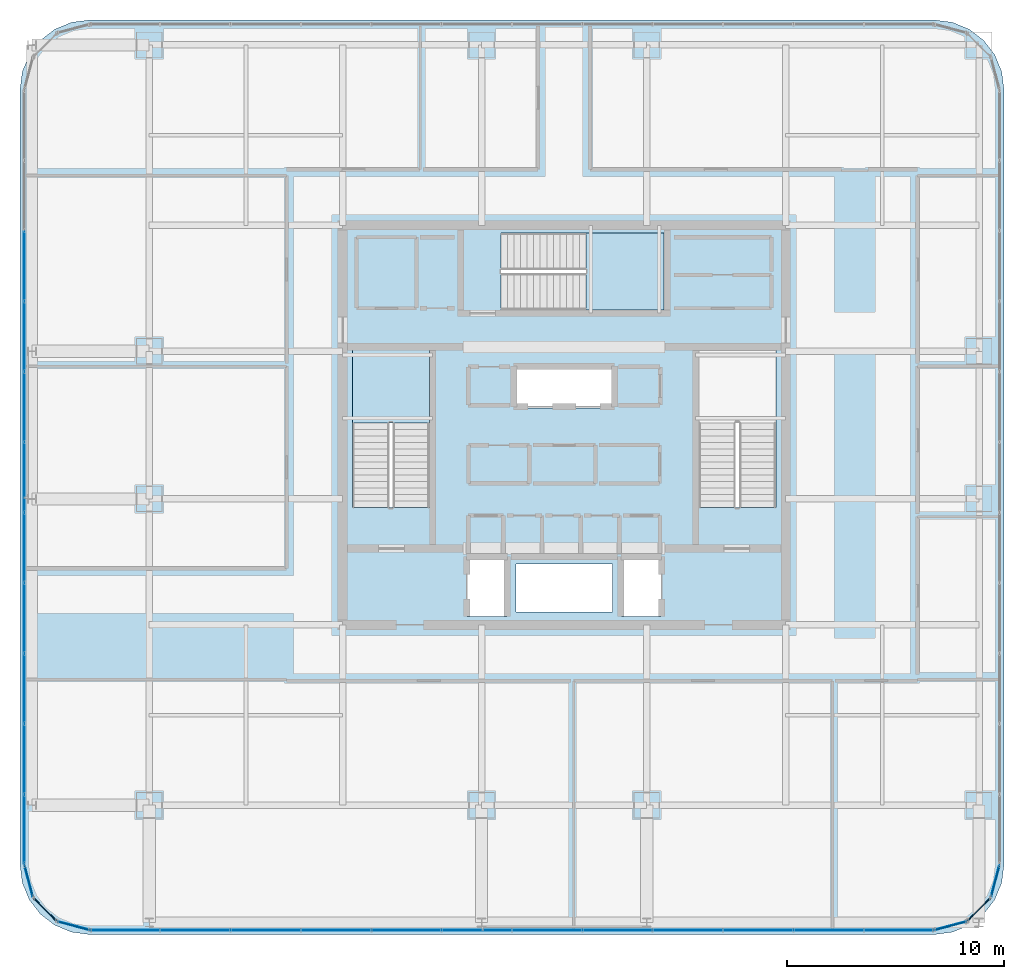
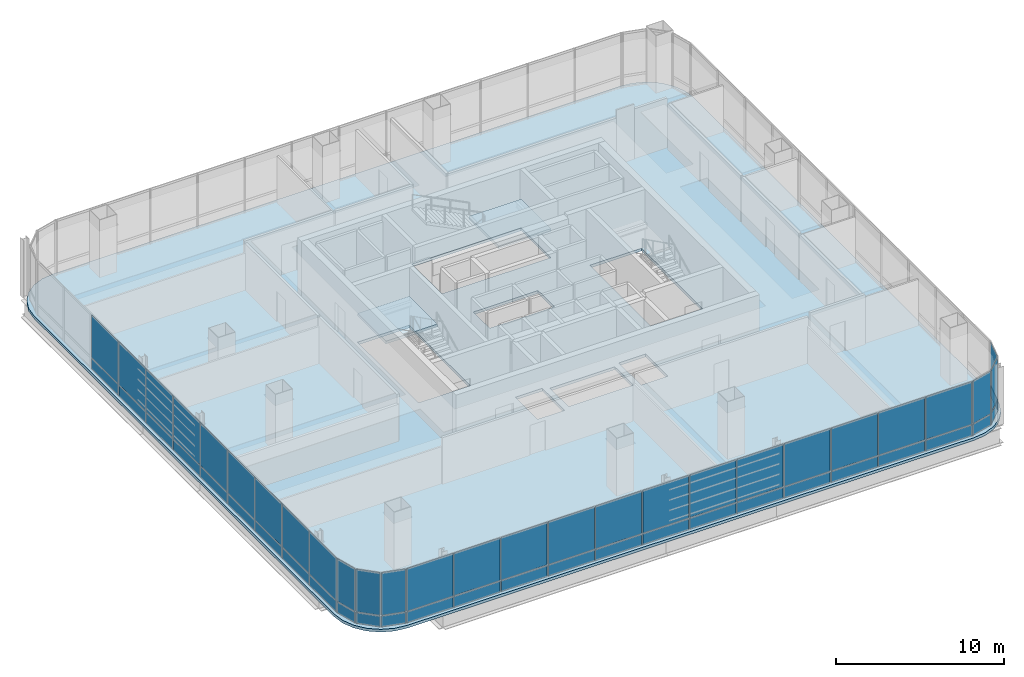
# One storey, part 33 of 43: 54 plates, 3 slabs, 10 elements without a shape of their own.
"""IFC4 building model written with IfcOpenShell, lengths in metres."""

from ifc_helpers import new_model, si_unit, direction, frame, origin, origin_2d, place, context, subcontext, project, spatial, polyline, rectangle, outline, extrude, material, layer, layer_set, type_object, element, aggregate, save


model = new_model("IFC4")

# Units and contexts
model_context = context("Model", 3, precision=1e-05, world=origin(), true_north=direction((0.0, 1.0)))
body_context = subcontext(model_context, "Body", "Model", "MODEL_VIEW")
ifc_project = project(units=[si_unit("LENGTHUNIT", "METRE"), si_unit("AREAUNIT", "SQUARE_METRE"), si_unit("VOLUMEUNIT", "CUBIC_METRE"), si_unit("PLANEANGLEUNIT", "RADIAN"), si_unit("MASSUNIT", "GRAM", prefix="KILO")], contexts=[model_context])

# Site, building, storey
site_placement = place(None, origin())
site = spatial("IfcSite", under=ifc_project, at=site_placement, CompositionType="ELEMENT")
building_placement = place(site_placement, origin())
building = spatial("IfcBuilding", under=site, at=building_placement, Name="Punatoya Terracotta Tower", CompositionType="ELEMENT")
storey_placement = place(building_placement, frame((0.0, 0.0, 321.60009765625)))
storey = spatial("IfcBuildingStorey", under=building, at=storey_placement, Name="L76", CompositionType="ELEMENT", Elevation=321.60009765625)

# Curtain wall, plates
ifc_material_1 = material(Name="Aluminium 6063-T6 + Double Low-E Glass", Category="aluminium")
curtain_wall_type = type_object("IfcCurtainWallType", Name="CW-OBS", PredefinedType="NOTDEFINED", material=ifc_material_1)
curtain_wall_1_placement = place(storey_placement, origin())
curtain_wall_1 = element("IfcCurtainWall", 1, at=curtain_wall_1_placement, inside=storey, type_object=curtain_wall_type, Name="L76 Curtain Wall CW-L76-S01-1", PredefinedType="NOTDEFINED")
ifc_material_2 = material(Name="Laminated Observation Low-Iron Glass", Category="glass")
ifc_layer_1 = layer(ifc_material_2, 0.0380859375)
ifc_layer_set_1 = layer_set([ifc_layer_1], Name="Laminated Observation Low-Iron Glass")
plate_type_1 = type_object("IfcPlateType", Name="PLT-GLZ-38", PredefinedType="CURTAIN_PANEL", material=ifc_layer_set_1)
plate_1_placement = place(storey_placement, frame((-20.21728515625, -23.25, 0.8896484375), z_axis=(0.0, 0.0, 1.0), x_axis=(1.0, 0.0, 0.0)))
plate_1 = element("IfcPlate", 2, at=plate_1_placement, type_object=plate_type_1, Name="CW-L76-S01-1 Vision Glass Panel 1", PredefinedType="CURTAIN_PANEL", context=body_context, shape_type="SweptSolid", body=[
    extrude(rectangle(XDim=3.154541015625, YDim=0.0380859375, at=origin_2d()), origin(), (0.0, 0.0, 1.0), 3.070068359375),
])
plate_2_placement = place(storey_placement, frame((-16.977783203125, -23.25, 0.8896484375), z_axis=(0.0, 0.0, 1.0), x_axis=(1.0, 0.0, 0.0)))
plate_2 = element("IfcPlate", 3, at=plate_2_placement, type_object=plate_type_1, Name="CW-L76-S01-1 Vision Glass Panel 2", PredefinedType="CURTAIN_PANEL", context=body_context, shape_type="SweptSolid", body=[
    extrude(rectangle(XDim=3.154541015625, YDim=0.0380859375, at=origin_2d()), origin(), (0.0, 0.0, 1.0), 3.070068359375),
])
plate_3_placement = place(storey_placement, frame((-13.73828125, -23.25, 0.8896484375), z_axis=(0.0, 0.0, 1.0), x_axis=(1.0, 0.0, 0.0)))
plate_3 = element("IfcPlate", 4, at=plate_3_placement, type_object=plate_type_1, Name="CW-L76-S01-1 Vision Glass Panel 3", PredefinedType="CURTAIN_PANEL", context=body_context, shape_type="SweptSolid", body=[
    extrude(rectangle(XDim=3.154541015625, YDim=0.0380859375, at=origin_2d()), origin(), (0.0, 0.0, 1.0), 3.070068359375),
])
plate_4_placement = place(storey_placement, frame((-10.498779296875, -23.25, 0.8896484375), z_axis=(0.0, 0.0, 1.0), x_axis=(1.0, 0.0, 0.0)))
plate_4 = element("IfcPlate", 5, at=plate_4_placement, type_object=plate_type_1, Name="CW-L76-S01-1 Vision Glass Panel 4", PredefinedType="CURTAIN_PANEL", context=body_context, shape_type="SweptSolid", body=[
    extrude(rectangle(XDim=3.154541015625, YDim=0.0380859375, at=origin_2d()), origin(), (0.0, 0.0, 1.0), 3.070068359375),
])
plate_5_placement = place(storey_placement, frame((-7.25927734375, -23.25, 0.8896484375), z_axis=(0.0, 0.0, 1.0), x_axis=(1.0, 0.0, 0.0)))
plate_5 = element("IfcPlate", 6, at=plate_5_placement, type_object=plate_type_1, Name="CW-L76-S01-1 Vision Glass Panel 5", PredefinedType="CURTAIN_PANEL", context=body_context, shape_type="SweptSolid", body=[
    extrude(rectangle(XDim=3.154541015625, YDim=0.0380859375, at=origin_2d()), origin(), (0.0, 0.0, 1.0), 3.070068359375),
])
plate_6_placement = place(storey_placement, frame((-4.019775390625, -23.25, 0.8896484375), z_axis=(0.0, 0.0, 1.0), x_axis=(1.0, 0.0, 0.0)))
plate_6 = element("IfcPlate", 7, at=plate_6_placement, type_object=plate_type_1, Name="CW-L76-S01-1 Vision Glass Panel 6", PredefinedType="CURTAIN_PANEL", context=body_context, shape_type="SweptSolid", body=[
    extrude(rectangle(XDim=3.154541015625, YDim=0.0380859375, at=origin_2d()), origin(), (0.0, 0.0, 1.0), 3.070068359375),
])
plate_7_placement = place(storey_placement, frame((-0.7802734375, -23.25, 0.8896484375), z_axis=(0.0, 0.0, 1.0), x_axis=(1.0, 0.0, 0.0)))
plate_7 = element("IfcPlate", 8, at=plate_7_placement, type_object=plate_type_1, Name="CW-L76-S01-1 Vision Glass Panel 7", PredefinedType="CURTAIN_PANEL", context=body_context, shape_type="SweptSolid", body=[
    extrude(rectangle(XDim=3.154541015625, YDim=0.0380859375, at=origin_2d()), origin(), (0.0, 0.0, 1.0), 3.070068359375),
])
plate_8_placement = place(storey_placement, frame((2.459228515625, -23.25, 0.8896484375), z_axis=(0.0, 0.0, 1.0), x_axis=(1.0, 0.0, 0.0)))
plate_8 = element("IfcPlate", 9, at=plate_8_placement, type_object=plate_type_1, Name="CW-L76-S01-1 Vision Glass Panel 8", PredefinedType="CURTAIN_PANEL", context=body_context, shape_type="SweptSolid", body=[
    extrude(rectangle(XDim=3.154541015625, YDim=0.0380859375, at=origin_2d()), origin(), (0.0, 0.0, 1.0), 3.070068359375),
])
plate_9_placement = place(storey_placement, frame((5.69873046875, -23.25, 0.8896484375), z_axis=(0.0, 0.0, 1.0), x_axis=(1.0, 0.0, 0.0)))
plate_9 = element("IfcPlate", 10, at=plate_9_placement, type_object=plate_type_1, Name="CW-L76-S01-1 Vision Glass Panel 9", PredefinedType="CURTAIN_PANEL", context=body_context, shape_type="SweptSolid", body=[
    extrude(rectangle(XDim=3.154541015625, YDim=0.0380859375, at=origin_2d()), origin(), (0.0, 0.0, 1.0), 3.070068359375),
])
plate_10_placement = place(storey_placement, frame((8.938232421875, -23.25, 0.8896484375), z_axis=(0.0, 0.0, 1.0), x_axis=(1.0, 0.0, 0.0)))
plate_10 = element("IfcPlate", 11, at=plate_10_placement, type_object=plate_type_1, Name="CW-L76-S01-1 Vision Glass Panel 10", PredefinedType="CURTAIN_PANEL", context=body_context, shape_type="SweptSolid", body=[
    extrude(rectangle(XDim=3.154541015625, YDim=0.0380859375, at=origin_2d()), origin(), (0.0, 0.0, 1.0), 3.070068359375),
])
plate_11_placement = place(storey_placement, frame((12.177734375, -23.25, 0.8896484375), z_axis=(0.0, 0.0, 1.0), x_axis=(1.0, 0.0, 0.0)))
plate_11 = element("IfcPlate", 12, at=plate_11_placement, type_object=plate_type_1, Name="CW-L76-S01-1 Vision Glass Panel 11", PredefinedType="CURTAIN_PANEL", context=body_context, shape_type="SweptSolid", body=[
    extrude(rectangle(XDim=3.154541015625, YDim=0.0380859375, at=origin_2d()), origin(), (0.0, 0.0, 1.0), 3.070068359375),
])
plate_12_placement = place(storey_placement, frame((15.417236328125, -23.25, 0.8896484375), z_axis=(0.0, 0.0, 1.0), x_axis=(1.0, 0.0, 0.0)))
plate_12 = element("IfcPlate", 13, at=plate_12_placement, type_object=plate_type_1, Name="CW-L76-S01-1 Vision Glass Panel 12", PredefinedType="CURTAIN_PANEL", context=body_context, shape_type="SweptSolid", body=[
    extrude(rectangle(XDim=3.154541015625, YDim=0.0380859375, at=origin_2d()), origin(), (0.0, 0.0, 1.0), 3.070068359375),
])

# Curtain wall, plate
curtain_wall_2_placement = place(storey_placement, origin())
curtain_wall_2 = element("IfcCurtainWall", 14, at=curtain_wall_2_placement, inside=storey, type_object=curtain_wall_type, Name="L76 Curtain Wall CW-L76-CRN02", PredefinedType="NOTDEFINED")
plate_13_placement = place(storey_placement, frame((17.79296875, -23.04833984375, 0.8896484375), z_axis=(0.0, 0.0, 1.0), x_axis=(0.966213877436, 0.257741620719, 0.0)))
plate_13 = element("IfcPlate", 15, at=plate_13_placement, type_object=plate_type_1, Name="CW-L76-CRN02 Vision Glass Panel 1", PredefinedType="CURTAIN_PANEL", context=body_context, shape_type="SweptSolid", body=[
    extrude(rectangle(XDim=1.47998046875, YDim=0.0380859375, at=origin_2d()), origin(), (0.0, 0.0, 1.0), 3.070068359375),
])

curtain_wall_3_placement = place(storey_placement, origin())
curtain_wall_3 = element("IfcCurtainWall", 16, at=curtain_wall_3_placement, inside=storey, type_object=curtain_wall_type, Name="L76 Curtain Wall CW-L76-CRN03", PredefinedType="NOTDEFINED")
plate_14_placement = place(storey_placement, frame((19.097900390625, -22.2978515625, 0.8896484375), z_axis=(0.0, 0.0, 1.0), x_axis=(0.707106781187, 0.707106781187, 0.0)))
plate_14 = element("IfcPlate", 17, at=plate_14_placement, type_object=plate_type_1, Name="CW-L76-CRN03 Vision Glass Panel 1", PredefinedType="CURTAIN_PANEL", context=body_context, shape_type="SweptSolid", body=[
    extrude(rectangle(XDim=1.467041015625, YDim=0.0380859375, at=origin_2d()), origin(), (0.0, 0.0, 1.0), 3.070068359375),
])

curtain_wall_4_placement = place(storey_placement, origin())
curtain_wall_4 = element("IfcCurtainWall", 18, at=curtain_wall_4_placement, inside=storey, type_object=curtain_wall_type, Name="L76 Curtain Wall CW-L76-CRN04", PredefinedType="NOTDEFINED")
plate_15_placement = place(storey_placement, frame((19.848388671875, -20.992919921875, 0.8896484375), z_axis=(0.0, 0.0, 1.0), x_axis=(0.257741620719, 0.966213877436, 0.0)))
plate_15 = element("IfcPlate", 19, at=plate_15_placement, type_object=plate_type_1, Name="CW-L76-CRN04 Vision Glass Panel 1", PredefinedType="CURTAIN_PANEL", context=body_context, shape_type="SweptSolid", body=[
    extrude(rectangle(XDim=1.47998046875, YDim=0.0380859375, at=origin_2d()), origin(), (0.0, 0.0, 1.0), 3.070068359375),
])

# Curtain wall, plates
curtain_wall_5_placement = place(storey_placement, origin())
curtain_wall_5 = element("IfcCurtainWall", 20, at=curtain_wall_5_placement, inside=storey, type_object=curtain_wall_type, Name="L76 Curtain Wall CW-L76-W13-1", PredefinedType="NOTDEFINED")
plate_16_placement = place(storey_placement, frame((-24.85009765625, 7.3291015625, 0.8896484375), z_axis=(0.0, 0.0, 1.0), x_axis=(0.0, -1.0, 0.0)))
plate_16 = element("IfcPlate", 21, at=plate_16_placement, type_object=plate_type_1, Name="CW-L76-W13-1 Vision Glass Panel 3", PredefinedType="CURTAIN_PANEL", context=body_context, shape_type="SweptSolid", body=[
    extrude(rectangle(XDim=3.158203125, YDim=0.0380859375, at=origin_2d()), origin(), (0.0, 0.0, 1.0), 3.070068359375),
])
plate_17_placement = place(storey_placement, frame((-24.85009765625, 4.086181640625, 0.8896484375), z_axis=(0.0, 0.0, 1.0), x_axis=(0.0, -1.0, 0.0)))
plate_17 = element("IfcPlate", 22, at=plate_17_placement, type_object=plate_type_1, Name="CW-L76-W13-1 Vision Glass Panel 4", PredefinedType="CURTAIN_PANEL", context=body_context, shape_type="SweptSolid", body=[
    extrude(rectangle(XDim=3.158203125, YDim=0.0380859375, at=origin_2d()), origin(), (0.0, 0.0, 1.0), 3.070068359375),
])
plate_18_placement = place(storey_placement, frame((-24.85009765625, 0.843017578125, 0.8896484375), z_axis=(0.0, 0.0, 1.0), x_axis=(0.0, -1.0, 0.0)))
plate_18 = element("IfcPlate", 23, at=plate_18_placement, type_object=plate_type_1, Name="CW-L76-W13-1 Vision Glass Panel 5", PredefinedType="CURTAIN_PANEL", context=body_context, shape_type="SweptSolid", body=[
    extrude(rectangle(XDim=3.158203125, YDim=0.0380859375, at=origin_2d()), origin(), (0.0, 0.0, 1.0), 3.070068359375),
])
plate_19_placement = place(storey_placement, frame((-24.85009765625, -2.39990234375, 0.8896484375), z_axis=(0.0, 0.0, 1.0), x_axis=(0.0, -1.0, 0.0)))
plate_19 = element("IfcPlate", 24, at=plate_19_placement, type_object=plate_type_1, Name="CW-L76-W13-1 Vision Glass Panel 6", PredefinedType="CURTAIN_PANEL", context=body_context, shape_type="SweptSolid", body=[
    extrude(rectangle(XDim=3.158203125, YDim=0.0380859375, at=origin_2d()), origin(), (0.0, 0.0, 1.0), 3.070068359375),
])
plate_20_placement = place(storey_placement, frame((-24.85009765625, -5.64306640625, 0.8896484375), z_axis=(0.0, 0.0, 1.0), x_axis=(0.0, -1.0, 0.0)))
plate_20 = element("IfcPlate", 25, at=plate_20_placement, type_object=plate_type_1, Name="CW-L76-W13-1 Vision Glass Panel 7", PredefinedType="CURTAIN_PANEL", context=body_context, shape_type="SweptSolid", body=[
    extrude(rectangle(XDim=3.158203125, YDim=0.0380859375, at=origin_2d()), origin(), (0.0, 0.0, 1.0), 3.070068359375),
])
plate_21_placement = place(storey_placement, frame((-24.85009765625, -8.885986328125, 0.8896484375), z_axis=(0.0, 0.0, 1.0), x_axis=(0.0, -1.0, 0.0)))
plate_21 = element("IfcPlate", 26, at=plate_21_placement, type_object=plate_type_1, Name="CW-L76-W13-1 Vision Glass Panel 8", PredefinedType="CURTAIN_PANEL", context=body_context, shape_type="SweptSolid", body=[
    extrude(rectangle(XDim=3.158203125, YDim=0.0380859375, at=origin_2d()), origin(), (0.0, 0.0, 1.0), 3.070068359375),
])
plate_22_placement = place(storey_placement, frame((-24.85009765625, -12.129150390625, 0.8896484375), z_axis=(0.0, 0.0, 1.0), x_axis=(0.0, -1.0, 0.0)))
plate_22 = element("IfcPlate", 27, at=plate_22_placement, type_object=plate_type_1, Name="CW-L76-W13-1 Vision Glass Panel 9", PredefinedType="CURTAIN_PANEL", context=body_context, shape_type="SweptSolid", body=[
    extrude(rectangle(XDim=3.158203125, YDim=0.0380859375, at=origin_2d()), origin(), (0.0, 0.0, 1.0), 3.070068359375),
])
plate_23_placement = place(storey_placement, frame((-24.85009765625, -15.372314453125, 0.8896484375), z_axis=(0.0, 0.0, 1.0), x_axis=(0.0, -1.0, 0.0)))
plate_23 = element("IfcPlate", 28, at=plate_23_placement, type_object=plate_type_1, Name="CW-L76-W13-1 Vision Glass Panel 10", PredefinedType="CURTAIN_PANEL", context=body_context, shape_type="SweptSolid", body=[
    extrude(rectangle(XDim=3.158203125, YDim=0.0380859375, at=origin_2d()), origin(), (0.0, 0.0, 1.0), 3.070068359375),
])
plate_24_placement = place(storey_placement, frame((-24.85009765625, -18.615478515625, 0.8896484375), z_axis=(0.0, 0.0, 1.0), x_axis=(0.0, -1.0, 0.0)))
plate_24 = element("IfcPlate", 29, at=plate_24_placement, type_object=plate_type_1, Name="CW-L76-W13-1 Vision Glass Panel 11", PredefinedType="CURTAIN_PANEL", context=body_context, shape_type="SweptSolid", body=[
    extrude(rectangle(XDim=3.158203125, YDim=0.0380859375, at=origin_2d()), origin(), (0.0, 0.0, 1.0), 3.070068359375),
])

# Curtain wall, plate
curtain_wall_6_placement = place(storey_placement, origin())
curtain_wall_6 = element("IfcCurtainWall", 30, at=curtain_wall_6_placement, inside=storey, type_object=curtain_wall_type, Name="L76 Curtain Wall CW-L76-CRN14", PredefinedType="NOTDEFINED")
plate_25_placement = place(storey_placement, frame((-24.648193359375, -20.992919921875, 0.8896484375), z_axis=(0.0, 0.0, 1.0), x_axis=(0.257741620719, -0.966213877436, 0.0)))
plate_25 = element("IfcPlate", 31, at=plate_25_placement, type_object=plate_type_1, Name="CW-L76-CRN14 Vision Glass Panel 1", PredefinedType="CURTAIN_PANEL", context=body_context, shape_type="SweptSolid", body=[
    extrude(rectangle(XDim=1.47998046875, YDim=0.0380859375, at=origin_2d()), origin(), (0.0, 0.0, 1.0), 3.070068359375),
])

curtain_wall_7_placement = place(storey_placement, origin())
curtain_wall_7 = element("IfcCurtainWall", 32, at=curtain_wall_7_placement, inside=storey, type_object=curtain_wall_type, Name="L76 Curtain Wall CW-L76-CRN15", PredefinedType="NOTDEFINED")
plate_26_placement = place(storey_placement, frame((-23.89794921875, -22.2978515625, 0.8896484375), z_axis=(0.0, 0.0, 1.0), x_axis=(0.707106781187, -0.707106781187, 0.0)))
plate_26 = element("IfcPlate", 33, at=plate_26_placement, type_object=plate_type_1, Name="CW-L76-CRN15 Vision Glass Panel 1", PredefinedType="CURTAIN_PANEL", context=body_context, shape_type="SweptSolid", body=[
    extrude(rectangle(XDim=1.467041015625, YDim=0.0380859375, at=origin_2d()), origin(), (0.0, 0.0, 1.0), 3.070068359375),
])

curtain_wall_8_placement = place(storey_placement, origin())
curtain_wall_8 = element("IfcCurtainWall", 34, at=curtain_wall_8_placement, inside=storey, type_object=curtain_wall_type, Name="L76 Curtain Wall CW-L76-CRN16", PredefinedType="NOTDEFINED")
plate_27_placement = place(storey_placement, frame((-22.593017578125, -23.04833984375, 0.8896484375), z_axis=(0.0, 0.0, 1.0), x_axis=(0.966213877436, -0.257741620719, 0.0)))
plate_27 = element("IfcPlate", 35, at=plate_27_placement, type_object=plate_type_1, Name="CW-L76-CRN16 Vision Glass Panel 1", PredefinedType="CURTAIN_PANEL", context=body_context, shape_type="SweptSolid", body=[
    extrude(rectangle(XDim=1.47998046875, YDim=0.0380859375, at=origin_2d()), origin(), (0.0, 0.0, 1.0), 3.070068359375),
])

# Plate
ifc_material_3 = material(Name="Insulated Terracotta-Backed Spandrel Panel", Category="masonry")
ifc_layer_2 = layer(ifc_material_3, 0.044921875)
ifc_layer_set_2 = layer_set([ifc_layer_2], Name="Insulated Terracotta-Backed Spandrel Panel")
plate_type_2 = type_object("IfcPlateType", Name="PLT-SPN-45", PredefinedType="CURTAIN_PANEL", material=ifc_layer_set_2)
plate_28_placement = place(storey_placement, frame((-20.21728515625, -23.25, 0.0400390625), z_axis=(0.0, 0.0, 1.0), x_axis=(1.0, 0.0, 0.0)))
plate_28 = element("IfcPlate", 36, at=plate_28_placement, type_object=plate_type_2, Name="CW-L76-S01-1 Terracotta Spandrel Panel 1", PredefinedType="CURTAIN_PANEL", context=body_context, shape_type="SweptSolid", body=[
    extrude(rectangle(XDim=3.154541015625, YDim=0.044921875, at=origin_2d()), origin(), (0.0, 0.0, 1.0), 0.77490234375),
])

plate_29_placement = place(storey_placement, frame((-16.977783203125, -23.25, 0.0400390625), z_axis=(0.0, 0.0, 1.0), x_axis=(1.0, 0.0, 0.0)))
plate_29 = element("IfcPlate", 37, at=plate_29_placement, type_object=plate_type_2, Name="CW-L76-S01-1 Terracotta Spandrel Panel 2", PredefinedType="CURTAIN_PANEL", context=body_context, shape_type="SweptSolid", body=[
    extrude(rectangle(XDim=3.154541015625, YDim=0.044921875, at=origin_2d()), origin(), (0.0, 0.0, 1.0), 0.77490234375),
])

plate_30_placement = place(storey_placement, frame((-13.73828125, -23.25, 0.0400390625), z_axis=(0.0, 0.0, 1.0), x_axis=(1.0, 0.0, 0.0)))
plate_30 = element("IfcPlate", 38, at=plate_30_placement, type_object=plate_type_2, Name="CW-L76-S01-1 Terracotta Spandrel Panel 3", PredefinedType="CURTAIN_PANEL", context=body_context, shape_type="SweptSolid", body=[
    extrude(rectangle(XDim=3.154541015625, YDim=0.044921875, at=origin_2d()), origin(), (0.0, 0.0, 1.0), 0.77490234375),
])

plate_31_placement = place(storey_placement, frame((-10.498779296875, -23.25, 0.0400390625), z_axis=(0.0, 0.0, 1.0), x_axis=(1.0, 0.0, 0.0)))
plate_31 = element("IfcPlate", 39, at=plate_31_placement, type_object=plate_type_2, Name="CW-L76-S01-1 Terracotta Spandrel Panel 4", PredefinedType="CURTAIN_PANEL", context=body_context, shape_type="SweptSolid", body=[
    extrude(rectangle(XDim=3.154541015625, YDim=0.044921875, at=origin_2d()), origin(), (0.0, 0.0, 1.0), 0.77490234375),
])

plate_32_placement = place(storey_placement, frame((-7.25927734375, -23.25, 0.0400390625), z_axis=(0.0, 0.0, 1.0), x_axis=(1.0, 0.0, 0.0)))
plate_32 = element("IfcPlate", 40, at=plate_32_placement, type_object=plate_type_2, Name="CW-L76-S01-1 Terracotta Spandrel Panel 5", PredefinedType="CURTAIN_PANEL", context=body_context, shape_type="SweptSolid", body=[
    extrude(rectangle(XDim=3.154541015625, YDim=0.044921875, at=origin_2d()), origin(), (0.0, 0.0, 1.0), 0.77490234375),
])

plate_33_placement = place(storey_placement, frame((-4.019775390625, -23.25, 0.0400390625), z_axis=(0.0, 0.0, 1.0), x_axis=(1.0, 0.0, 0.0)))
plate_33 = element("IfcPlate", 41, at=plate_33_placement, type_object=plate_type_2, Name="CW-L76-S01-1 Terracotta Spandrel Panel 6", PredefinedType="CURTAIN_PANEL", context=body_context, shape_type="SweptSolid", body=[
    extrude(rectangle(XDim=3.154541015625, YDim=0.044921875, at=origin_2d()), origin(), (0.0, 0.0, 1.0), 0.77490234375),
])

plate_34_placement = place(storey_placement, frame((-0.7802734375, -23.25, 0.0400390625), z_axis=(0.0, 0.0, 1.0), x_axis=(1.0, 0.0, 0.0)))
plate_34 = element("IfcPlate", 42, at=plate_34_placement, type_object=plate_type_2, Name="CW-L76-S01-1 Terracotta Spandrel Panel 7", PredefinedType="CURTAIN_PANEL", context=body_context, shape_type="SweptSolid", body=[
    extrude(rectangle(XDim=3.154541015625, YDim=0.044921875, at=origin_2d()), origin(), (0.0, 0.0, 1.0), 0.77490234375),
])

plate_35_placement = place(storey_placement, frame((2.459228515625, -23.25, 0.0400390625), z_axis=(0.0, 0.0, 1.0), x_axis=(1.0, 0.0, 0.0)))
plate_35 = element("IfcPlate", 43, at=plate_35_placement, type_object=plate_type_2, Name="CW-L76-S01-1 Terracotta Spandrel Panel 8", PredefinedType="CURTAIN_PANEL", context=body_context, shape_type="SweptSolid", body=[
    extrude(rectangle(XDim=3.154541015625, YDim=0.044921875, at=origin_2d()), origin(), (0.0, 0.0, 1.0), 0.77490234375),
])

plate_36_placement = place(storey_placement, frame((5.69873046875, -23.25, 0.0400390625), z_axis=(0.0, 0.0, 1.0), x_axis=(1.0, 0.0, 0.0)))
plate_36 = element("IfcPlate", 44, at=plate_36_placement, type_object=plate_type_2, Name="CW-L76-S01-1 Terracotta Spandrel Panel 9", PredefinedType="CURTAIN_PANEL", context=body_context, shape_type="SweptSolid", body=[
    extrude(rectangle(XDim=3.154541015625, YDim=0.044921875, at=origin_2d()), origin(), (0.0, 0.0, 1.0), 0.77490234375),
])

plate_37_placement = place(storey_placement, frame((8.938232421875, -23.25, 0.0400390625), z_axis=(0.0, 0.0, 1.0), x_axis=(1.0, 0.0, 0.0)))
plate_37 = element("IfcPlate", 45, at=plate_37_placement, type_object=plate_type_2, Name="CW-L76-S01-1 Terracotta Spandrel Panel 10", PredefinedType="CURTAIN_PANEL", context=body_context, shape_type="SweptSolid", body=[
    extrude(rectangle(XDim=3.154541015625, YDim=0.044921875, at=origin_2d()), origin(), (0.0, 0.0, 1.0), 0.77490234375),
])

plate_38_placement = place(storey_placement, frame((12.177734375, -23.25, 0.0400390625), z_axis=(0.0, 0.0, 1.0), x_axis=(1.0, 0.0, 0.0)))
plate_38 = element("IfcPlate", 46, at=plate_38_placement, type_object=plate_type_2, Name="CW-L76-S01-1 Terracotta Spandrel Panel 11", PredefinedType="CURTAIN_PANEL", context=body_context, shape_type="SweptSolid", body=[
    extrude(rectangle(XDim=3.154541015625, YDim=0.044921875, at=origin_2d()), origin(), (0.0, 0.0, 1.0), 0.77490234375),
])

plate_39_placement = place(storey_placement, frame((15.417236328125, -23.25, 0.0400390625), z_axis=(0.0, 0.0, 1.0), x_axis=(1.0, 0.0, 0.0)))
plate_39 = element("IfcPlate", 47, at=plate_39_placement, type_object=plate_type_2, Name="CW-L76-S01-1 Terracotta Spandrel Panel 12", PredefinedType="CURTAIN_PANEL", context=body_context, shape_type="SweptSolid", body=[
    extrude(rectangle(XDim=3.154541015625, YDim=0.044921875, at=origin_2d()), origin(), (0.0, 0.0, 1.0), 0.77490234375),
])

aggregate(curtain_wall_1, [plate_28, plate_1, plate_29, plate_2, plate_30, plate_3, plate_31, plate_4, plate_32, plate_5, plate_33, plate_6, plate_34, plate_7, plate_35, plate_8, plate_36, plate_9, plate_37, plate_10, plate_38, plate_11, plate_39, plate_12])

plate_40_placement = place(storey_placement, frame((17.79296875, -23.04833984375, 0.0400390625), z_axis=(0.0, 0.0, 1.0), x_axis=(0.966213877436, 0.257741620719, 0.0)))
plate_40 = element("IfcPlate", 48, at=plate_40_placement, type_object=plate_type_2, Name="CW-L76-CRN02 Terracotta Spandrel Panel 1", PredefinedType="CURTAIN_PANEL", context=body_context, shape_type="SweptSolid", body=[
    extrude(rectangle(XDim=1.47998046875, YDim=0.044921875, at=origin_2d()), origin(), (0.0, 0.0, 1.0), 0.77490234375),
])

aggregate(curtain_wall_2, [plate_40, plate_13])

plate_41_placement = place(storey_placement, frame((19.097900390625, -22.2978515625, 0.0400390625), z_axis=(0.0, 0.0, 1.0), x_axis=(0.707106781187, 0.707106781187, 0.0)))
plate_41 = element("IfcPlate", 49, at=plate_41_placement, type_object=plate_type_2, Name="CW-L76-CRN03 Terracotta Spandrel Panel 1", PredefinedType="CURTAIN_PANEL", context=body_context, shape_type="SweptSolid", body=[
    extrude(rectangle(XDim=1.467041015625, YDim=0.044921875, at=origin_2d()), origin(), (0.0, 0.0, 1.0), 0.77490234375),
])

aggregate(curtain_wall_3, [plate_41, plate_14])

plate_42_placement = place(storey_placement, frame((19.848388671875, -20.992919921875, 0.0400390625), z_axis=(0.0, 0.0, 1.0), x_axis=(0.257741620719, 0.966213877436, 0.0)))
plate_42 = element("IfcPlate", 50, at=plate_42_placement, type_object=plate_type_2, Name="CW-L76-CRN04 Terracotta Spandrel Panel 1", PredefinedType="CURTAIN_PANEL", context=body_context, shape_type="SweptSolid", body=[
    extrude(rectangle(XDim=1.47998046875, YDim=0.044921875, at=origin_2d()), origin(), (0.0, 0.0, 1.0), 0.77490234375),
])

aggregate(curtain_wall_4, [plate_42, plate_15])

plate_43_placement = place(storey_placement, frame((-24.85009765625, 7.3291015625, 0.0400390625), z_axis=(0.0, 0.0, 1.0), x_axis=(0.0, -1.0, 0.0)))
plate_43 = element("IfcPlate", 51, at=plate_43_placement, type_object=plate_type_2, Name="CW-L76-W13-1 Terracotta Spandrel Panel 3", PredefinedType="CURTAIN_PANEL", context=body_context, shape_type="SweptSolid", body=[
    extrude(rectangle(XDim=3.158203125, YDim=0.044921875, at=origin_2d()), origin(), (0.0, 0.0, 1.0), 0.77490234375),
])

plate_44_placement = place(storey_placement, frame((-24.85009765625, 4.086181640625, 0.0400390625), z_axis=(0.0, 0.0, 1.0), x_axis=(0.0, -1.0, 0.0)))
plate_44 = element("IfcPlate", 52, at=plate_44_placement, type_object=plate_type_2, Name="CW-L76-W13-1 Terracotta Spandrel Panel 4", PredefinedType="CURTAIN_PANEL", context=body_context, shape_type="SweptSolid", body=[
    extrude(rectangle(XDim=3.158203125, YDim=0.044921875, at=origin_2d()), origin(), (0.0, 0.0, 1.0), 0.77490234375),
])

plate_45_placement = place(storey_placement, frame((-24.85009765625, 0.843017578125, 0.0400390625), z_axis=(0.0, 0.0, 1.0), x_axis=(0.0, -1.0, 0.0)))
plate_45 = element("IfcPlate", 53, at=plate_45_placement, type_object=plate_type_2, Name="CW-L76-W13-1 Terracotta Spandrel Panel 5", PredefinedType="CURTAIN_PANEL", context=body_context, shape_type="SweptSolid", body=[
    extrude(rectangle(XDim=3.158203125, YDim=0.044921875, at=origin_2d()), origin(), (0.0, 0.0, 1.0), 0.77490234375),
])

plate_46_placement = place(storey_placement, frame((-24.85009765625, -2.39990234375, 0.0400390625), z_axis=(0.0, 0.0, 1.0), x_axis=(0.0, -1.0, 0.0)))
plate_46 = element("IfcPlate", 54, at=plate_46_placement, type_object=plate_type_2, Name="CW-L76-W13-1 Terracotta Spandrel Panel 6", PredefinedType="CURTAIN_PANEL", context=body_context, shape_type="SweptSolid", body=[
    extrude(rectangle(XDim=3.158203125, YDim=0.044921875, at=origin_2d()), origin(), (0.0, 0.0, 1.0), 0.77490234375),
])

plate_47_placement = place(storey_placement, frame((-24.85009765625, -5.64306640625, 0.0400390625), z_axis=(0.0, 0.0, 1.0), x_axis=(0.0, -1.0, 0.0)))
plate_47 = element("IfcPlate", 55, at=plate_47_placement, type_object=plate_type_2, Name="CW-L76-W13-1 Terracotta Spandrel Panel 7", PredefinedType="CURTAIN_PANEL", context=body_context, shape_type="SweptSolid", body=[
    extrude(rectangle(XDim=3.158203125, YDim=0.044921875, at=origin_2d()), origin(), (0.0, 0.0, 1.0), 0.77490234375),
])

plate_48_placement = place(storey_placement, frame((-24.85009765625, -8.885986328125, 0.0400390625), z_axis=(0.0, 0.0, 1.0), x_axis=(0.0, -1.0, 0.0)))
plate_48 = element("IfcPlate", 56, at=plate_48_placement, type_object=plate_type_2, Name="CW-L76-W13-1 Terracotta Spandrel Panel 8", PredefinedType="CURTAIN_PANEL", context=body_context, shape_type="SweptSolid", body=[
    extrude(rectangle(XDim=3.158203125, YDim=0.044921875, at=origin_2d()), origin(), (0.0, 0.0, 1.0), 0.77490234375),
])

plate_49_placement = place(storey_placement, frame((-24.85009765625, -12.129150390625, 0.0400390625), z_axis=(0.0, 0.0, 1.0), x_axis=(0.0, -1.0, 0.0)))
plate_49 = element("IfcPlate", 57, at=plate_49_placement, type_object=plate_type_2, Name="CW-L76-W13-1 Terracotta Spandrel Panel 9", PredefinedType="CURTAIN_PANEL", context=body_context, shape_type="SweptSolid", body=[
    extrude(rectangle(XDim=3.158203125, YDim=0.044921875, at=origin_2d()), origin(), (0.0, 0.0, 1.0), 0.77490234375),
])

plate_50_placement = place(storey_placement, frame((-24.85009765625, -15.372314453125, 0.0400390625), z_axis=(0.0, 0.0, 1.0), x_axis=(0.0, -1.0, 0.0)))
plate_50 = element("IfcPlate", 58, at=plate_50_placement, type_object=plate_type_2, Name="CW-L76-W13-1 Terracotta Spandrel Panel 10", PredefinedType="CURTAIN_PANEL", context=body_context, shape_type="SweptSolid", body=[
    extrude(rectangle(XDim=3.158203125, YDim=0.044921875, at=origin_2d()), origin(), (0.0, 0.0, 1.0), 0.77490234375),
])

plate_51_placement = place(storey_placement, frame((-24.85009765625, -18.615478515625, 0.0400390625), z_axis=(0.0, 0.0, 1.0), x_axis=(0.0, -1.0, 0.0)))
plate_51 = element("IfcPlate", 59, at=plate_51_placement, type_object=plate_type_2, Name="CW-L76-W13-1 Terracotta Spandrel Panel 11", PredefinedType="CURTAIN_PANEL", context=body_context, shape_type="SweptSolid", body=[
    extrude(rectangle(XDim=3.158203125, YDim=0.044921875, at=origin_2d()), origin(), (0.0, 0.0, 1.0), 0.77490234375),
])

aggregate(curtain_wall_5, [plate_43, plate_16, plate_44, plate_17, plate_45, plate_18, plate_46, plate_19, plate_47, plate_20, plate_48, plate_21, plate_49, plate_22, plate_50, plate_23, plate_51, plate_24])

plate_52_placement = place(storey_placement, frame((-24.648193359375, -20.992919921875, 0.0400390625), z_axis=(0.0, 0.0, 1.0), x_axis=(0.257741620719, -0.966213877436, 0.0)))
plate_52 = element("IfcPlate", 60, at=plate_52_placement, type_object=plate_type_2, Name="CW-L76-CRN14 Terracotta Spandrel Panel 1", PredefinedType="CURTAIN_PANEL", context=body_context, shape_type="SweptSolid", body=[
    extrude(rectangle(XDim=1.47998046875, YDim=0.044921875, at=origin_2d()), origin(), (0.0, 0.0, 1.0), 0.77490234375),
])

aggregate(curtain_wall_6, [plate_52, plate_25])

plate_53_placement = place(storey_placement, frame((-23.89794921875, -22.2978515625, 0.0400390625), z_axis=(0.0, 0.0, 1.0), x_axis=(0.707106781187, -0.707106781187, 0.0)))
plate_53 = element("IfcPlate", 61, at=plate_53_placement, type_object=plate_type_2, Name="CW-L76-CRN15 Terracotta Spandrel Panel 1", PredefinedType="CURTAIN_PANEL", context=body_context, shape_type="SweptSolid", body=[
    extrude(rectangle(XDim=1.467041015625, YDim=0.044921875, at=origin_2d()), origin(), (0.0, 0.0, 1.0), 0.77490234375),
])

aggregate(curtain_wall_7, [plate_53, plate_26])

plate_54_placement = place(storey_placement, frame((-22.593017578125, -23.04833984375, 0.0400390625), z_axis=(0.0, 0.0, 1.0), x_axis=(0.966213877436, -0.257741620719, 0.0)))
plate_54 = element("IfcPlate", 62, at=plate_54_placement, type_object=plate_type_2, Name="CW-L76-CRN16 Terracotta Spandrel Panel 1", PredefinedType="CURTAIN_PANEL", context=body_context, shape_type="SweptSolid", body=[
    extrude(rectangle(XDim=1.47998046875, YDim=0.044921875, at=origin_2d()), origin(), (0.0, 0.0, 1.0), 0.77490234375),
])

aggregate(curtain_wall_8, [plate_54, plate_27])

# Stair, slab
ifc_material_4 = material(Name="Concrete C40/50", Category="concrete")
stair_type_1 = type_object("IfcStairType", Name="STR-TER-1450", PredefinedType="HALF_TURN_STAIR", material=ifc_material_4)
stair_1_placement = place(storey_placement, origin())
stair_1 = element("IfcStair", 63, at=stair_1_placement, inside=storey, type_object=stair_type_1, Name="L76 Protected Core Exit Stair ST-3", PredefinedType="HALF_TURN_STAIR")
ifc_layer_3 = layer(ifc_material_4, 0.1650390625)
ifc_layer_set_3 = layer_set([ifc_layer_3], Name="Concrete C40/50")
slab_type_1 = type_object("IfcSlabType", Name="SLB-LND-165", PredefinedType="LANDING", material=ifc_layer_set_3)
slab_1_placement = place(storey_placement, frame((0.0, 0.0, 1.89990234375)))
slab_1 = element("IfcSlab", 64, at=slab_1_placement, type_object=slab_type_1, Name="ST-3 landing 1", PredefinedType="LANDING", context=body_context, shape_type="SweptSolid", body=[
    extrude(outline(polyline([(1.0, 5.300048828125), (4.60009765625, 5.300048828125), (4.60009765625, 8.85009765625), (1.0, 8.85009765625), (1.0, 5.300048828125)])), origin(), (0.0, 0.0, 1.0), 0.199951171875),
])
aggregate(stair_1, [slab_1])

stair_type_2 = type_object("IfcStairType", Name="STR-CORE-1550", PredefinedType="HALF_TURN_STAIR", material=ifc_material_4)
stair_2_placement = place(storey_placement, origin())
stair_2 = element("IfcStair", 65, at=stair_2_placement, inside=storey, type_object=stair_type_2, Name="L76 Protected Core Exit Stair ST-1", PredefinedType="HALF_TURN_STAIR")
ifc_layer_4 = layer(ifc_material_4, 0.179931640625)
ifc_layer_set_4 = layer_set([ifc_layer_4], Name="Concrete C40/50")
slab_type_2 = type_object("IfcSlabType", Name="SLB-LND-180", PredefinedType="LANDING", material=ifc_layer_set_4)
slab_2_placement = place(storey_placement, frame((0.0, 0.0, 1.89990234375)))
slab_2 = element("IfcSlab", 66, at=slab_2_placement, type_object=slab_type_2, Name="ST-1 landing 1", PredefinedType="LANDING", context=body_context, shape_type="SweptSolid", body=[
    extrude(outline(polyline([(-6.199951171875, 0.10009765625), (-6.199951171875, 3.449951171875), (-9.75, 3.449951171875), (-9.75, 0.10009765625), (-6.199951171875, 0.10009765625)])), origin(), (0.0, 0.0, 1.0), 0.199951171875),
])
aggregate(stair_2, [slab_2])

# Slab
ifc_layer_5 = layer(ifc_material_4, 0.199951171875)
ifc_layer_set_5 = layer_set([ifc_layer_5], Name="Concrete C40/50")
slab_type_3 = type_object("IfcSlabType", Name="SLB-OFF-200", PredefinedType="FLOOR", material=ifc_layer_set_5)
slab_3_placement = place(storey_placement, frame((0.0, 0.0, -0.2001953125)))
element("IfcSlab", 67, at=slab_3_placement, inside=storey, type_object=slab_type_3, Name="L76 Structural Floor Slab", PredefinedType="FLOOR", context=body_context, shape_type="SweptSolid", body=[
    extrude(outline(polyline([(-21.85009765625, -23.449951171875), (-22.67822265625, -23.341064453125), (-23.449951171875, -23.021240234375), (-24.11279296875, -22.5126953125), (-24.621337890625, -21.85009765625), (-24.94091796875, -21.078125), (-25.050048828125, -20.25), (-25.050048828125, 15.449951171875), (-24.94091796875, 16.2783203125), (-24.621337890625, 17.050048828125), (-24.11279296875, 17.712646484375), (-23.449951171875, 18.22119140625), (-22.67822265625, 18.541015625), (-21.85009765625, 18.64990234375), (17.050048828125, 18.64990234375), (17.878173828125, 18.541015625), (18.64990234375, 18.22119140625), (19.312744140625, 17.712646484375), (19.8212890625, 17.050048828125), (20.14111328125, 16.2783203125), (20.25, 15.449951171875), (20.25, -20.25), (20.14111328125, -21.078125), (19.8212890625, -21.85009765625), (19.312744140625, -22.5126953125), (18.64990234375, -23.021240234375), (17.878173828125, -23.341064453125), (17.050048828125, -23.449951171875), (-21.85009765625, -23.449951171875)]), holes=[polyline([(-2.6298828125, -6.179931640625), (-4.469970703125, -6.179931640625), (-4.469970703125, -8.820068359375), (-2.6298828125, -8.820068359375), (-2.6298828125, -6.179931640625)]), polyline([(-0.02001953125, -6.405029296875), (-2.219970703125, -6.405029296875), (-2.219970703125, -8.594970703125), (-0.02001953125, -8.594970703125), (0.02001953125, -8.594970703125), (2.219970703125, -8.594970703125), (2.219970703125, -6.405029296875), (0.02001953125, -6.405029296875), (-0.02001953125, -6.405029296875)]), polyline([(4.469970703125, -6.179931640625), (2.6298828125, -6.179931640625), (2.6298828125, -8.820068359375), (4.469970703125, -8.820068359375), (4.469970703125, -6.179931640625)]), polyline([(-9.75, 3.449951171875), (-9.75, -3.79931640625), (-6.199951171875, -3.79931640625), (-6.199951171875, 3.449951171875), (-9.75, 3.449951171875)]), polyline([(6.199951171875, 3.449951171875), (6.199951171875, -3.79931640625), (9.75, -3.79931640625), (9.75, 3.449951171875), (6.199951171875, 3.449951171875)]), polyline([(-2.219970703125, 2.719970703125), (-2.219970703125, 0.780029296875), (-0.02001953125, 0.780029296875), (0.02001953125, 0.780029296875), (2.219970703125, 0.780029296875), (2.219970703125, 2.719970703125), (0.02001953125, 2.719970703125), (-0.02001953125, 2.719970703125), (-2.219970703125, 2.719970703125)]), polyline([(4.60009765625, 5.300048828125), (4.60009765625, 8.85009765625), (-2.899169921875, 8.85009765625), (-2.899169921875, 5.300048828125), (4.60009765625, 5.300048828125)])]), origin(), (0.0, 0.0, 1.0), 0.2001953125),
])

save(model, "model.ifc")
